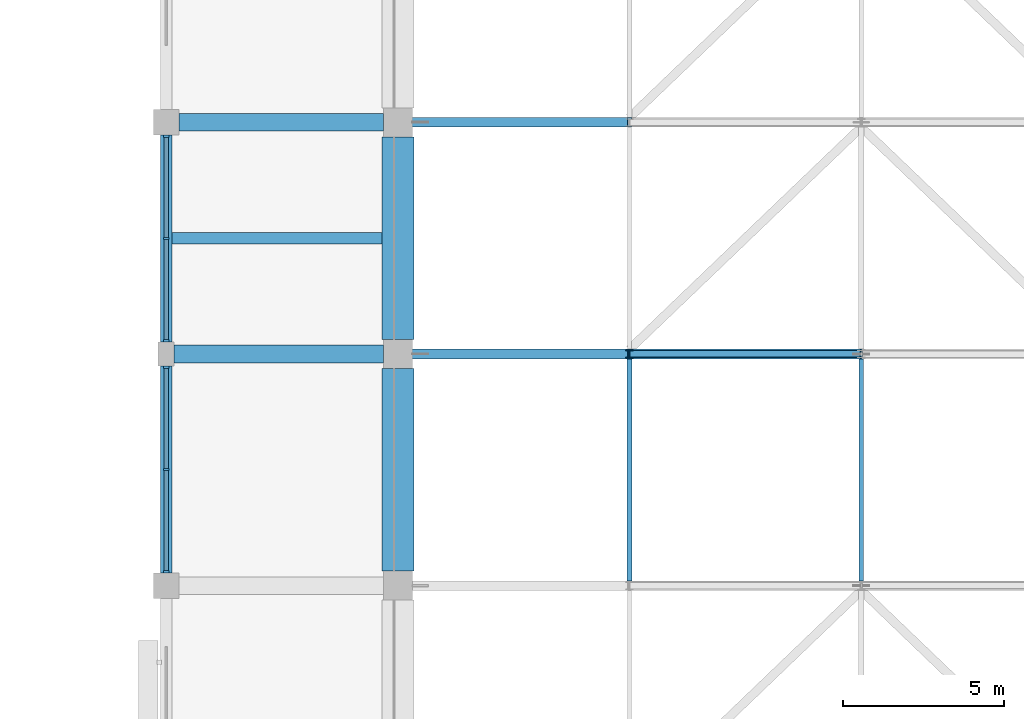
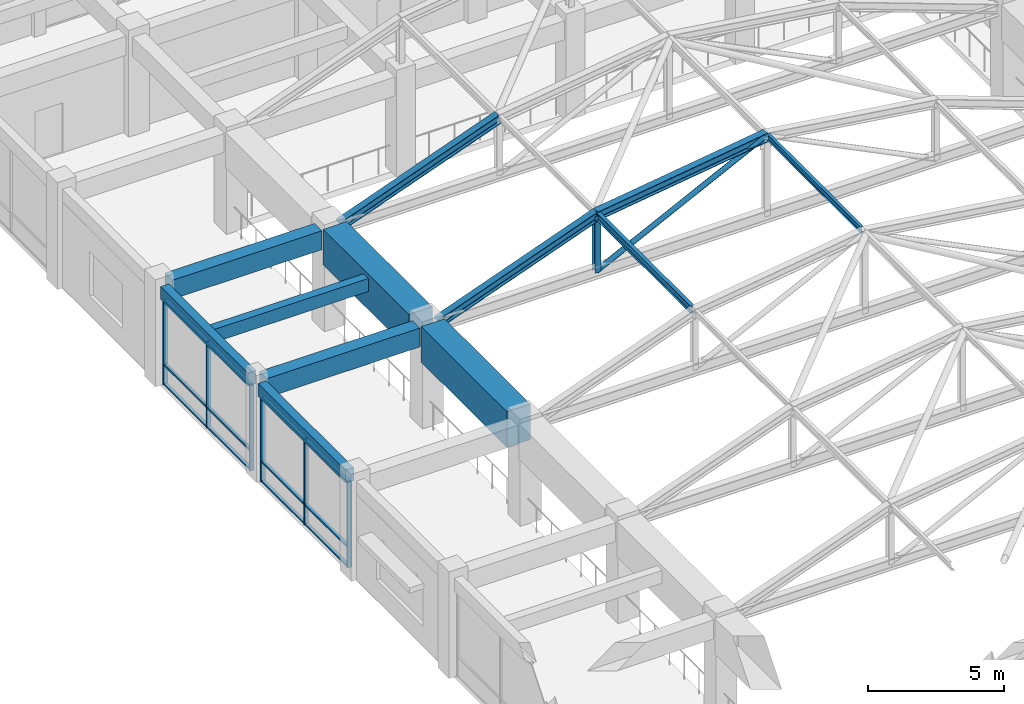
# One storey, part 39 of 75: 25 members, 7 beams, 2 elements without a shape of their own.
"""IFC4 building model written with IfcOpenShell, lengths in metres."""

from ifc_helpers import new_model, si_unit, direction, frame, origin, origin_2d, place, context, subcontext, project, spatial, rectangle, hollow_circle, i_section, extrude, material, layer, layer_set, material_profile, profile_set, type_object, element, aggregate, save


model = new_model("IFC4")

# Units and contexts
model_context = context("Model", 3, precision=1e-05, world=origin(), true_north=direction((0.0, 1.0)))
body_context = subcontext(model_context, "Body", "Model", "MODEL_VIEW")
ifc_project = project(units=[si_unit("LENGTHUNIT", "METRE"), si_unit("AREAUNIT", "SQUARE_METRE"), si_unit("VOLUMEUNIT", "CUBIC_METRE"), si_unit("PLANEANGLEUNIT", "RADIAN"), si_unit("MASSUNIT", "GRAM", prefix="KILO")], contexts=[model_context])

# Site, building, storey
site_placement = place(None, origin())
site = spatial("IfcSite", under=ifc_project, at=site_placement, CompositionType="ELEMENT")
building_placement = place(site_placement, origin())
building = spatial("IfcBuilding", under=site, at=building_placement, Name="Cendaluz Park School", CompositionType="ELEMENT")
storey_placement = place(building_placement, frame((0.0, 0.0, 4.800048828125)))
storey = spatial("IfcBuildingStorey", under=building, at=storey_placement, Name="L01", CompositionType="ELEMENT", Elevation=4.800048828125)

# Beams
ifc_material_1 = material(Name="Concrete C40/50", Category="concrete")
ifc_material_profile_1 = material_profile(ifc_material_1, rectangle(XDim=0.550048828125, YDim=0.85009765625, at=origin_2d()), Name="RC 550x850", Category="concrete")
ifc_profile_set_1 = profile_set([ifc_material_profile_1], Name="Concrete C40/50")
beam_type_1 = type_object("IfcBeamType", Name="BM-RC01", PredefinedType="BEAM", material=ifc_profile_set_1)
beam_1_placement = place(storey_placement, frame((129.85009765625, 86.39990234375, 4.0048828125), z_axis=(1.0, 0.0, 0.0), x_axis=(0.0, 1.0, 0.0)))
element("IfcBeam", 1, at=beam_1_placement, inside=storey, type_object=beam_type_1, Name="BM-L01-BMRC01-0168", PredefinedType="BEAM", context=body_context, shape_type="SweptSolid", body=[
    extrude(rectangle(XDim=0.550048828125, YDim=0.85009765625, at=origin_2d()), origin(), (0.0, 0.0, 1.0), 6.5),
])
beam_2_placement = place(storey_placement, frame((130.0, 93.60009765625, 4.0048828125), z_axis=(1.0, 0.0, 0.0), x_axis=(0.0, 1.0, 0.0)))
element("IfcBeam", 2, at=beam_2_placement, inside=storey, type_object=beam_type_1, Name="BM-L01-BMRC01-0169", PredefinedType="BEAM", context=body_context, shape_type="SweptSolid", body=[
    extrude(rectangle(XDim=0.550048828125, YDim=0.85009765625, at=origin_2d()), origin(), (0.0, 0.0, 1.0), 6.35009765625),
])
ifc_material_profile_2 = material_profile(ifc_material_1, rectangle(XDim=0.35009765625, YDim=0.580078125, at=origin_2d()), Name="RC 350x580", Category="concrete")
ifc_profile_set_2 = profile_set([ifc_material_profile_2], Name="Concrete C40/50")
beam_type_2 = type_object("IfcBeamType", Name="BM-RC04", PredefinedType="LINTEL", material=ifc_profile_set_2)
beam_3_placement = place(storey_placement, frame((129.60009765625, 79.60009765625, 4.139892578125), z_axis=(0.0, 1.0, 0.0), x_axis=(-1.0, 0.0, 0.0)))
element("IfcBeam", 3, at=beam_3_placement, inside=storey, type_object=beam_type_2, Name="BM-L01-BMRC04-0398", PredefinedType="LINTEL", context=body_context, shape_type="SweptSolid", body=[
    extrude(rectangle(XDim=0.35009765625, YDim=0.580078125, at=origin_2d()), origin(), (0.0, 0.0, 1.0), 6.4248046875),
])
beam_4_placement = place(storey_placement, frame((129.60009765625, 86.77490234375, 4.139892578125), z_axis=(0.0, 1.0, 0.0), x_axis=(-1.0, 0.0, 0.0)))
element("IfcBeam", 4, at=beam_4_placement, inside=storey, type_object=beam_type_2, Name="BM-L01-BMRC04-0399", PredefinedType="LINTEL", context=body_context, shape_type="SweptSolid", body=[
    extrude(rectangle(XDim=0.35009765625, YDim=0.580078125, at=origin_2d()), origin(), (0.0, 0.0, 1.0), 6.425048828125),
])

# Curtain wall, members
ifc_material_2 = material(Name="Anodised Aluminium 6063-T6", Category="aluminium")
ifc_layer = layer(ifc_material_2, 0.179931640625)
ifc_layer_set = layer_set([ifc_layer], Name="Anodised Aluminium 6063-T6")
curtain_wall_type = type_object("IfcCurtainWallType", Name="CW-128x77", PredefinedType="NOTDEFINED", material=ifc_layer_set)
curtain_wall_1_placement = place(storey_placement, origin())
curtain_wall_1 = element("IfcCurtainWall", 5, at=curtain_wall_1_placement, inside=storey, type_object=curtain_wall_type, Name="CW-L01-064", PredefinedType="NOTDEFINED")
ifc_material_profile_3 = material_profile(ifc_material_2, rectangle(XDim=0.179931640625, YDim=0.070068359375, at=origin_2d()), Name="CWM 180x70", Category="aluminium")
ifc_profile_set_3 = profile_set([ifc_material_profile_3], Name="Anodised Aluminium 6063-T6")
member_type_1 = type_object("IfcMemberType", Name="CWM-01", PredefinedType="MULLION", material=ifc_profile_set_3)
member_1_placement = place(storey_placement, frame((129.60009765625, 79.635009765625, 0.0), z_axis=(0.0, 0.0, 1.0), x_axis=(-1.0, 0.0, 0.0)))
member_1 = element("IfcMember", 6, at=member_1_placement, type_object=member_type_1, Name="CP-L01-0820", PredefinedType="MULLION", context=body_context, shape_type="SweptSolid", body=[
    extrude(rectangle(XDim=0.179931640625, YDim=0.070068359375, at=origin_2d()), origin(), (0.0, 0.0, 1.0), 3.849853515625),
])
member_2_placement = place(storey_placement, frame((129.60009765625, 82.8125, 0.0), z_axis=(0.0, 0.0, 1.0), x_axis=(-1.0, 0.0, 0.0)))
member_2 = element("IfcMember", 7, at=member_2_placement, type_object=member_type_1, Name="CP-L01-0821", PredefinedType="MULLION", context=body_context, shape_type="SweptSolid", body=[
    extrude(rectangle(XDim=0.179931640625, YDim=0.070068359375, at=origin_2d()), origin(), (0.0, 0.0, 1.0), 3.849853515625),
])
member_3_placement = place(storey_placement, frame((129.60009765625, 85.989990234375, 0.0), z_axis=(0.0, 0.0, 1.0), x_axis=(-1.0, 0.0, 0.0)))
member_3 = element("IfcMember", 8, at=member_3_placement, type_object=member_type_1, Name="CP-L01-0822", PredefinedType="MULLION", context=body_context, shape_type="SweptSolid", body=[
    extrude(rectangle(XDim=0.179931640625, YDim=0.070068359375, at=origin_2d()), origin(), (0.0, 0.0, 1.0), 3.849853515625),
])

curtain_wall_2_placement = place(storey_placement, origin())
curtain_wall_2 = element("IfcCurtainWall", 9, at=curtain_wall_2_placement, inside=storey, type_object=curtain_wall_type, Name="CW-L01-065", PredefinedType="NOTDEFINED")
member_4_placement = place(storey_placement, frame((129.60009765625, 86.81005859375, 0.0), z_axis=(0.0, 0.0, 1.0), x_axis=(-1.0, 0.0, 0.0)))
member_4 = element("IfcMember", 10, at=member_4_placement, type_object=member_type_1, Name="CP-L01-0833", PredefinedType="MULLION", context=body_context, shape_type="SweptSolid", body=[
    extrude(rectangle(XDim=0.179931640625, YDim=0.070068359375, at=origin_2d()), origin(), (0.0, 0.0, 1.0), 3.849853515625),
])
member_5_placement = place(storey_placement, frame((129.60009765625, 89.987548828125, 0.0), z_axis=(0.0, 0.0, 1.0), x_axis=(-1.0, 0.0, 0.0)))
member_5 = element("IfcMember", 11, at=member_5_placement, type_object=member_type_1, Name="CP-L01-0834", PredefinedType="MULLION", context=body_context, shape_type="SweptSolid", body=[
    extrude(rectangle(XDim=0.179931640625, YDim=0.070068359375, at=origin_2d()), origin(), (0.0, 0.0, 1.0), 3.849853515625),
])
member_6_placement = place(storey_placement, frame((129.60009765625, 93.1650390625, 0.0), z_axis=(0.0, 0.0, 1.0), x_axis=(-1.0, 0.0, 0.0)))
member_6 = element("IfcMember", 12, at=member_6_placement, type_object=member_type_1, Name="CP-L01-0835", PredefinedType="MULLION", context=body_context, shape_type="SweptSolid", body=[
    extrude(rectangle(XDim=0.179931640625, YDim=0.070068359375, at=origin_2d()), origin(), (0.0, 0.0, 1.0), 3.849853515625),
])

# Member
ifc_material_profile_4 = material_profile(ifc_material_2, rectangle(XDim=0.139892578125, YDim=0.070068359375, at=origin_2d()), Name="CWT 140x70", Category="aluminium")
ifc_profile_set_4 = profile_set([ifc_material_profile_4], Name="Anodised Aluminium 6063-T6")
member_type_2 = type_object("IfcMemberType", Name="CWT-01", PredefinedType="USERDEFINED", material=ifc_profile_set_4)
member_7_placement = place(storey_placement, frame((129.60009765625, 79.669921875, 0.034912109375), z_axis=(0.0, 1.0, 0.0), x_axis=(-1.0, 0.0, 0.0)))
member_7 = element("IfcMember", 13, at=member_7_placement, type_object=member_type_2, Name="CP-L01-0823", ObjectType="TRANSOM", PredefinedType="USERDEFINED", context=body_context, shape_type="SweptSolid", body=[
    extrude(rectangle(XDim=0.139892578125, YDim=0.070068359375, at=origin_2d()), origin(), (0.0, 0.0, 1.0), 3.107666015625),
])

member_8_placement = place(storey_placement, frame((129.60009765625, 79.669921875, 0.89990234375), z_axis=(0.0, 1.0, 0.0), x_axis=(-1.0, 0.0, 0.0)))
member_8 = element("IfcMember", 14, at=member_8_placement, type_object=member_type_2, Name="CP-L01-0824", ObjectType="TRANSOM", PredefinedType="USERDEFINED", context=body_context, shape_type="SweptSolid", body=[
    extrude(rectangle(XDim=0.139892578125, YDim=0.070068359375, at=origin_2d()), origin(), (0.0, 0.0, 1.0), 3.107666015625),
])

member_9_placement = place(storey_placement, frame((129.60009765625, 79.669921875, 3.81494140625), z_axis=(0.0, 1.0, 0.0), x_axis=(-1.0, 0.0, 0.0)))
member_9 = element("IfcMember", 15, at=member_9_placement, type_object=member_type_2, Name="CP-L01-0825", ObjectType="TRANSOM", PredefinedType="USERDEFINED", context=body_context, shape_type="SweptSolid", body=[
    extrude(rectangle(XDim=0.139892578125, YDim=0.070068359375, at=origin_2d()), origin(), (0.0, 0.0, 1.0), 3.107666015625),
])

member_10_placement = place(storey_placement, frame((129.60009765625, 82.847412109375, 0.034912109375), z_axis=(0.0, 1.0, 0.0), x_axis=(-1.0, 0.0, 0.0)))
member_10 = element("IfcMember", 16, at=member_10_placement, type_object=member_type_2, Name="CP-L01-0828", ObjectType="TRANSOM", PredefinedType="USERDEFINED", context=body_context, shape_type="SweptSolid", body=[
    extrude(rectangle(XDim=0.139892578125, YDim=0.070068359375, at=origin_2d()), origin(), (0.0, 0.0, 1.0), 3.107666015625),
])

member_11_placement = place(storey_placement, frame((129.60009765625, 82.847412109375, 0.89990234375), z_axis=(0.0, 1.0, 0.0), x_axis=(-1.0, 0.0, 0.0)))
member_11 = element("IfcMember", 17, at=member_11_placement, type_object=member_type_2, Name="CP-L01-0829", ObjectType="TRANSOM", PredefinedType="USERDEFINED", context=body_context, shape_type="SweptSolid", body=[
    extrude(rectangle(XDim=0.139892578125, YDim=0.070068359375, at=origin_2d()), origin(), (0.0, 0.0, 1.0), 3.107666015625),
])

member_12_placement = place(storey_placement, frame((129.60009765625, 82.847412109375, 3.81494140625), z_axis=(0.0, 1.0, 0.0), x_axis=(-1.0, 0.0, 0.0)))
member_12 = element("IfcMember", 18, at=member_12_placement, type_object=member_type_2, Name="CP-L01-0830", ObjectType="TRANSOM", PredefinedType="USERDEFINED", context=body_context, shape_type="SweptSolid", body=[
    extrude(rectangle(XDim=0.139892578125, YDim=0.070068359375, at=origin_2d()), origin(), (0.0, 0.0, 1.0), 3.107666015625),
])

aggregate(curtain_wall_1, [member_1, member_2, member_3, member_7, member_8, member_9, member_10, member_11, member_12])

member_13_placement = place(storey_placement, frame((129.60009765625, 86.844970703125, 0.034912109375), z_axis=(0.0, 1.0, 0.0), x_axis=(-1.0, 0.0, 0.0)))
member_13 = element("IfcMember", 19, at=member_13_placement, type_object=member_type_2, Name="CP-L01-0836", ObjectType="TRANSOM", PredefinedType="USERDEFINED", context=body_context, shape_type="SweptSolid", body=[
    extrude(rectangle(XDim=0.139892578125, YDim=0.070068359375, at=origin_2d()), origin(), (0.0, 0.0, 1.0), 3.107421875),
])

member_14_placement = place(storey_placement, frame((129.60009765625, 86.844970703125, 0.89990234375), z_axis=(0.0, 1.0, 0.0), x_axis=(-1.0, 0.0, 0.0)))
member_14 = element("IfcMember", 20, at=member_14_placement, type_object=member_type_2, Name="CP-L01-0837", ObjectType="TRANSOM", PredefinedType="USERDEFINED", context=body_context, shape_type="SweptSolid", body=[
    extrude(rectangle(XDim=0.139892578125, YDim=0.070068359375, at=origin_2d()), origin(), (0.0, 0.0, 1.0), 3.107421875),
])

member_15_placement = place(storey_placement, frame((129.60009765625, 86.844970703125, 3.81494140625), z_axis=(0.0, 1.0, 0.0), x_axis=(-1.0, 0.0, 0.0)))
member_15 = element("IfcMember", 21, at=member_15_placement, type_object=member_type_2, Name="CP-L01-0838", ObjectType="TRANSOM", PredefinedType="USERDEFINED", context=body_context, shape_type="SweptSolid", body=[
    extrude(rectangle(XDim=0.139892578125, YDim=0.070068359375, at=origin_2d()), origin(), (0.0, 0.0, 1.0), 3.107421875),
])

member_16_placement = place(storey_placement, frame((129.60009765625, 90.0224609375, 0.034912109375), z_axis=(0.0, 1.0, 0.0), x_axis=(-1.0, 0.0, 0.0)))
member_16 = element("IfcMember", 22, at=member_16_placement, type_object=member_type_2, Name="CP-L01-0841", ObjectType="TRANSOM", PredefinedType="USERDEFINED", context=body_context, shape_type="SweptSolid", body=[
    extrude(rectangle(XDim=0.139892578125, YDim=0.070068359375, at=origin_2d()), origin(), (0.0, 0.0, 1.0), 3.107421875),
])

member_17_placement = place(storey_placement, frame((129.60009765625, 90.0224609375, 0.89990234375), z_axis=(0.0, 1.0, 0.0), x_axis=(-1.0, 0.0, 0.0)))
member_17 = element("IfcMember", 23, at=member_17_placement, type_object=member_type_2, Name="CP-L01-0842", ObjectType="TRANSOM", PredefinedType="USERDEFINED", context=body_context, shape_type="SweptSolid", body=[
    extrude(rectangle(XDim=0.139892578125, YDim=0.070068359375, at=origin_2d()), origin(), (0.0, 0.0, 1.0), 3.107421875),
])

member_18_placement = place(storey_placement, frame((129.60009765625, 90.0224609375, 3.81494140625), z_axis=(0.0, 1.0, 0.0), x_axis=(-1.0, 0.0, 0.0)))
member_18 = element("IfcMember", 24, at=member_18_placement, type_object=member_type_2, Name="CP-L01-0843", ObjectType="TRANSOM", PredefinedType="USERDEFINED", context=body_context, shape_type="SweptSolid", body=[
    extrude(rectangle(XDim=0.139892578125, YDim=0.070068359375, at=origin_2d()), origin(), (0.0, 0.0, 1.0), 3.107421875),
])

aggregate(curtain_wall_2, [member_4, member_5, member_6, member_13, member_14, member_15, member_16, member_17, member_18])

# Beam
ifc_material_profile_5 = material_profile(ifc_material_1, rectangle(XDim=0.35009765625, YDim=0.580078125, at=origin_2d()), Name="RC 350x580", Category="concrete")
ifc_profile_set_5 = profile_set([ifc_material_profile_5], Name="Concrete C40/50")
beam_type_3 = type_object("IfcBeamType", Name="JT-RC01", PredefinedType="JOIST", material=ifc_profile_set_5)
beam_5_placement = place(storey_placement, frame((129.77490234375, 90.0, 4.139892578125), z_axis=(1.0, 0.0, 0.0), x_axis=(0.0, 1.0, 0.0)))
element("IfcBeam", 25, at=beam_5_placement, inside=storey, type_object=beam_type_3, Name="BM-L01-JTRC01-0511", PredefinedType="JOIST", context=body_context, shape_type="SweptSolid", body=[
    extrude(rectangle(XDim=0.35009765625, YDim=0.580078125, at=origin_2d()), origin(), (0.0, 0.0, 1.0), 6.525146484375),
])

# Members
ifc_material_3 = material(Name="Steel S355", Category="steel")
ifc_material_profile_6 = material_profile(ifc_material_3, i_section(OverallWidth=0.300048828125, OverallDepth=0.39990234375, WebThickness=0.013916015625, FlangeThickness=0.02392578125, FilletRadius=0.027099609375, at=origin_2d()), Name="HEB 400", Category="steel")
ifc_profile_set_6 = profile_set([ifc_material_profile_6], Name="Steel S355")
member_type_3 = type_object("IfcMemberType", Name="MB-CH01", PredefinedType="CHORD", material=ifc_profile_set_6)
member_19_placement = place(storey_placement, frame((137.25, 86.39990234375, 4.219970703125), z_axis=(0.939102267455, 0.0, 0.343637790793), x_axis=(0.0, 1.0, 0.0)))
element("IfcMember", 26, at=member_19_placement, inside=storey, type_object=member_type_3, Name="MB-L01-MBCH01-0122", PredefinedType="CHORD", context=body_context, shape_type="SweptSolid", body=[
    extrude(i_section(OverallWidth=0.300048828125, OverallDepth=0.39990234375, WebThickness=0.013916015625, FlangeThickness=0.02392578125, FilletRadius=0.027099609375, at=origin_2d()), origin(), (0.0, 0.0, 1.0), 7.187744140625),
])
member_20_placement = place(storey_placement, frame((144.0, 86.39990234375, 6.68994140625), z_axis=(0.990113333567, 0.0, 0.140269692708), x_axis=(0.0, 1.0, 0.0)))
element("IfcMember", 27, at=member_20_placement, inside=storey, type_object=member_type_3, Name="MB-L01-MBCH01-0123", PredefinedType="CHORD", context=body_context, shape_type="SweptSolid", body=[
    extrude(i_section(OverallWidth=0.300048828125, OverallDepth=0.39990234375, WebThickness=0.013916015625, FlangeThickness=0.02392578125, FilletRadius=0.027099609375, at=origin_2d()), origin(), (0.0, 0.0, 1.0), 7.271728515625),
])
member_21_placement = place(storey_placement, frame((137.25, 93.60009765625, 4.219970703125), z_axis=(0.939102267455, 0.0, 0.343637790793), x_axis=(0.0, 1.0, 0.0)))
element("IfcMember", 28, at=member_21_placement, inside=storey, type_object=member_type_3, Name="MB-L01-MBCH01-0131", PredefinedType="CHORD", context=body_context, shape_type="SweptSolid", body=[
    extrude(i_section(OverallWidth=0.300048828125, OverallDepth=0.39990234375, WebThickness=0.013916015625, FlangeThickness=0.02392578125, FilletRadius=0.027099609375, at=origin_2d()), origin(), (0.0, 0.0, 1.0), 7.187744140625),
])
ifc_material_profile_7 = material_profile(ifc_material_3, i_section(OverallWidth=0.135009765625, OverallDepth=0.27001953125, WebThickness=0.007080078125, FlangeThickness=0.010009765625, FilletRadius=0.014892578125, at=origin_2d()), Name="IPE 270", Category="steel")
ifc_profile_set_7 = profile_set([ifc_material_profile_7], Name="Steel S355")
member_type_4 = type_object("IfcMemberType", Name="MB-PR01", PredefinedType="PURLIN", material=ifc_profile_set_7)
member_22_placement = place(storey_placement, frame((151.199951171875, 79.35009765625, 7.764892578125), z_axis=(0.0, 1.0, 0.0), x_axis=(-1.0, 0.0, 0.0)))
element("IfcMember", 29, at=member_22_placement, inside=storey, type_object=member_type_4, Name="MB-L01-MBPR01-0163", PredefinedType="PURLIN", context=body_context, shape_type="SweptSolid", body=[
    extrude(i_section(OverallWidth=0.135009765625, OverallDepth=0.27001953125, WebThickness=0.007080078125, FlangeThickness=0.010009765625, FilletRadius=0.014892578125, at=origin_2d()), origin(), (0.0, 0.0, 1.0), 6.89990234375),
])
ifc_material_profile_8 = material_profile(ifc_material_3, i_section(OverallWidth=0.159912109375, OverallDepth=0.330078125, WebThickness=0.008056640625, FlangeThickness=0.011962890625, FilletRadius=0.01806640625, at=origin_2d()), Name="IPE 330", Category="steel")
ifc_profile_set_8 = profile_set([ifc_material_profile_8], Name="Steel S355")
member_type_5 = type_object("IfcMemberType", Name="MB-PR02", PredefinedType="PURLIN", material=ifc_profile_set_8)
member_23_placement = place(storey_placement, frame((144.0, 79.35009765625, 6.704833984375), z_axis=(0.0, 1.0, 0.0), x_axis=(-1.0, 0.0, 0.0)))
element("IfcMember", 30, at=member_23_placement, inside=storey, type_object=member_type_5, Name="MB-L01-MBPR02-0162", PredefinedType="PURLIN", context=body_context, shape_type="SweptSolid", body=[
    extrude(i_section(OverallWidth=0.159912109375, OverallDepth=0.330078125, WebThickness=0.008056640625, FlangeThickness=0.011962890625, FilletRadius=0.01806640625, at=origin_2d()), origin(), (0.0, 0.0, 1.0), 6.89990234375),
])
ifc_material_profile_9 = material_profile(ifc_material_3, hollow_circle(Radius=0.109619140625, WallThickness=0.010009765625, at=origin_2d()), Name="CHS 219x10", Category="steel")
ifc_profile_set_9 = profile_set([ifc_material_profile_9], Name="Steel S355")
member_type_6 = type_object("IfcMemberType", Name="MBR-02", PredefinedType="BRACE", material=ifc_profile_set_9)
member_24_placement = place(storey_placement, frame((144.0, 86.39990234375, 4.14990234375), z_axis=(0.896406248188, 0.0, 0.443233390224), x_axis=(0.0, 1.0, 0.0)))
element("IfcMember", 31, at=member_24_placement, inside=storey, type_object=member_type_6, Name="MB-L01-MBBR02-0129", PredefinedType="BRACE", context=body_context, shape_type="SweptSolid", body=[
    extrude(hollow_circle(Radius=0.109619140625, WallThickness=0.010009765625, at=origin_2d()), origin(), (0.0, 0.0, 1.0), 8.031982421875),
])
ifc_material_profile_10 = material_profile(ifc_material_3, i_section(OverallWidth=0.239990234375, OverallDepth=0.22998046875, WebThickness=0.008056640625, FlangeThickness=0.011962890625, FilletRadius=0.02099609375, at=origin_2d()), Name="HEA 240", Category="steel")
ifc_profile_set_10 = profile_set([ifc_material_profile_10], Name="Steel S355")
member_type_7 = type_object("IfcMemberType", Name="MST-01", PredefinedType="STRUT", material=ifc_profile_set_10)
member_25_placement = place(storey_placement, frame((144.0, 86.39990234375, 4.14990234375), z_axis=(0.0, 0.0, 1.0), x_axis=(1.0, 0.0, 0.0)))
element("IfcMember", 32, at=member_25_placement, inside=storey, type_object=member_type_7, Name="MB-L01-MBST01-0126", PredefinedType="STRUT", context=body_context, shape_type="SweptSolid", body=[
    extrude(i_section(OverallWidth=0.239990234375, OverallDepth=0.22998046875, WebThickness=0.008056640625, FlangeThickness=0.011962890625, FilletRadius=0.02099609375, at=origin_2d()), origin(), (0.0, 0.0, 1.0), 2.5400390625),
])

# Beams
ifc_material_profile_11 = material_profile(ifc_material_1, rectangle(XDim=1.0, YDim=1.60009765625, at=origin_2d()), Name="RC 1000x1600", Category="concrete")
ifc_profile_set_11 = profile_set([ifc_material_profile_11], Name="Concrete C40/50")
beam_type_4 = type_object("IfcBeamType", Name="TG-RC01", PredefinedType="BEAM", material=ifc_profile_set_11)
beam_6_placement = place(storey_placement, frame((136.800048828125, 79.64990234375, 3.820068359375), z_axis=(0.0, 1.0, 0.0), x_axis=(-1.0, 0.0, 0.0)))
element("IfcBeam", 33, at=beam_6_placement, inside=storey, type_object=beam_type_4, Name="Barrel Vault Collector Girder BM-L01-TGRC01-0414", PredefinedType="BEAM", context=body_context, shape_type="SweptSolid", body=[
    extrude(rectangle(XDim=1.0, YDim=1.60009765625, at=origin_2d()), origin(), (0.0, 0.0, 1.0), 6.300048828125),
])
beam_7_placement = place(storey_placement, frame((136.800048828125, 86.85009765625, 3.820068359375), z_axis=(0.0, 1.0, 0.0), x_axis=(-1.0, 0.0, 0.0)))
element("IfcBeam", 34, at=beam_7_placement, inside=storey, type_object=beam_type_4, Name="Barrel Vault Collector Girder BM-L01-TGRC01-0415", PredefinedType="BEAM", context=body_context, shape_type="SweptSolid", body=[
    extrude(rectangle(XDim=1.0, YDim=1.60009765625, at=origin_2d()), origin(), (0.0, 0.0, 1.0), 6.2998046875),
])

save(model, "model.ifc")
